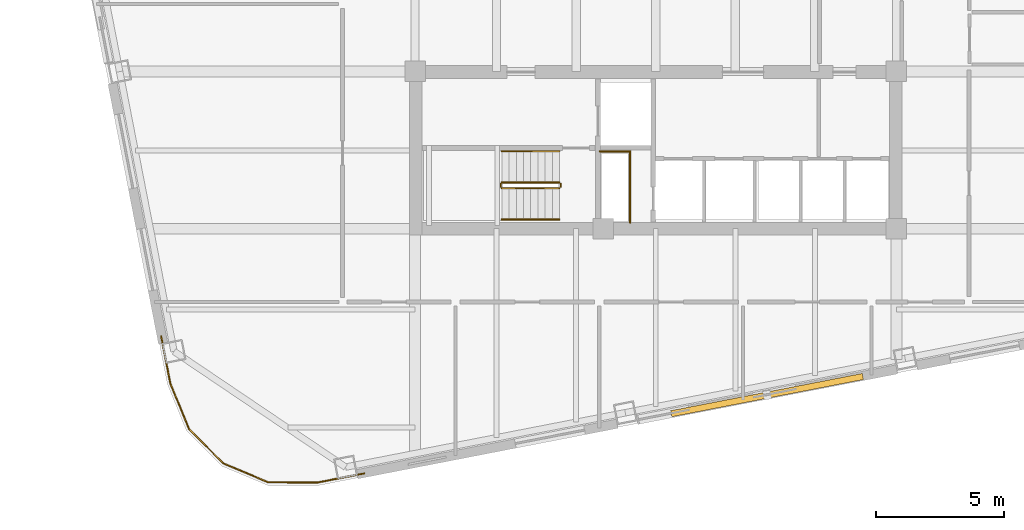
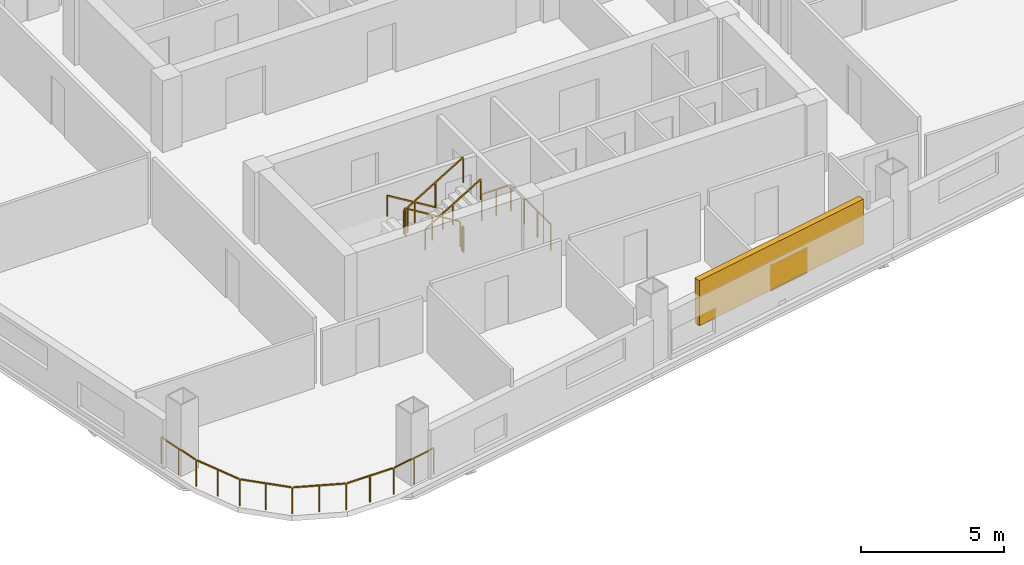
# One storey, part 7 of 9: 8 railings, 1 shading device.
"""IFC4 building model written with IfcOpenShell, lengths in metres."""

from ifc_helpers import new_model, si_unit, direction, frame, origin, origin_2d, place, context, subcontext, project, spatial, rectangle, extrude, material, type_object, element, save


model = new_model("IFC4")

# Units and contexts
model_context = context("Model", 3, precision=1e-05, world=origin(), true_north=direction((0.0, 1.0)))
body_context = subcontext(model_context, "Body", "Model", "MODEL_VIEW")
ifc_project = project(units=[si_unit("LENGTHUNIT", "METRE"), si_unit("AREAUNIT", "SQUARE_METRE"), si_unit("VOLUMEUNIT", "CUBIC_METRE"), si_unit("PLANEANGLEUNIT", "RADIAN"), si_unit("MASSUNIT", "GRAM", prefix="KILO")], contexts=[model_context])

# Site, building, storey
site_placement = place(None, origin())
site = spatial("IfcSite", under=ifc_project, at=site_placement, CompositionType="ELEMENT")
building_placement = place(site_placement, origin())
building = spatial("IfcBuilding", under=site, at=building_placement, Name="Qhalaya Broadcast Tower", CompositionType="ELEMENT")
storey_placement = place(building_placement, frame((0.0, 0.0, 121.949951171875)))
storey = spatial("IfcBuildingStorey", under=building, at=storey_placement, Name="L35", CompositionType="ELEMENT", Elevation=121.949951171875)

# Railings
ifc_material_1 = material(Name="Powder-Coated Galvanised Steel", Category="steel")
railing_type_1 = type_object("IfcRailingType", Name="Stair Wall Handrail 900", PredefinedType="HANDRAIL", material=ifc_material_1)
railing_1_placement = place(storey_placement, frame((-3.75, -5.72998046875, 0.16943359375)))
element("IfcRailing", 1, at=railing_1_placement, inside=storey, type_object=railing_type_1, Name="L35 ST-2 Stair Handrail 1", PredefinedType="HANDRAIL", context=body_context, shape_type="SweptSolid", body=[
    extrude(rectangle(XDim=0.048095703125, YDim=0.048095703125, at=origin_2d()), frame((0.0, 0.0, 0.8759765625), z_axis=(-0.855512035549, 0.0, 0.517782924622), x_axis=(0.0, -1.0, 0.0)), (0.0, 0.0, 1.0), 2.618408203125),
    extrude(rectangle(XDim=0.0419921875, YDim=0.0419921875, at=origin_2d()), origin(), (0.0, 0.0, 1.0), 0.849853515625),
    extrude(rectangle(XDim=0.0419921875, YDim=0.0419921875, at=origin_2d()), frame((-1.1201171875, 0.0, 0.677734375)), (0.0, 0.0, 1.0), 0.849853515625),
    extrude(rectangle(XDim=0.0419921875, YDim=0.0419921875, at=origin_2d()), frame((-2.239990234375, 0.0, 1.355712890625)), (0.0, 0.0, 1.0), 0.849853515625),
])
railing_2_placement = place(storey_placement, frame((-5.989990234375, -8.389892578125, 1.694580078125)))
element("IfcRailing", 2, at=railing_2_placement, inside=storey, type_object=railing_type_1, Name="L35 ST-2 Stair Handrail 2", PredefinedType="HANDRAIL", context=body_context, shape_type="SweptSolid", body=[
    extrude(rectangle(XDim=0.048095703125, YDim=0.048095703125, at=origin_2d()), frame((0.0, 0.0, 0.8759765625), z_axis=(0.855553338991, 0.0, 0.51771467445), x_axis=(0.0, 1.0, 0.0)), (0.0, 0.0, 1.0), 2.6181640625),
    extrude(rectangle(XDim=0.0419921875, YDim=0.0419921875, at=origin_2d()), origin(), (0.0, 0.0, 1.0), 0.849853515625),
    extrude(rectangle(XDim=0.0419921875, YDim=0.0419921875, at=origin_2d()), frame((1.1201171875, 0.0, 0.677734375)), (0.0, 0.0, 1.0), 0.849853515625),
    extrude(rectangle(XDim=0.0419921875, YDim=0.0419921875, at=origin_2d()), frame((2.239990234375, 0.0, 1.35546875)), (0.0, 0.0, 1.0), 0.849853515625),
])
railing_type_2 = type_object("IfcRailingType", Name="Stair Well & Landing Guardrail 1100", PredefinedType="GUARDRAIL", material=ifc_material_1)
railing_3_placement = place(storey_placement, frame((-1.0, -8.52001953125, 0.0)))
element("IfcRailing", 3, at=railing_3_placement, inside=storey, type_object=railing_type_2, Name="L35 Service Riser Opening Safety Guard SRSR", PredefinedType="GUARDRAIL", context=body_context, shape_type="SweptSolid", body=[
    extrude(rectangle(XDim=0.048095703125, YDim=0.048095703125, at=origin_2d()), frame((0.0, 0.0, 1.1259765625), z_axis=(0.0, 1.0, 0.0), x_axis=(-1.0, 0.0, 0.0)), (0.0, 0.0, 1.0), 2.751220703125),
    extrude(rectangle(XDim=0.048095703125, YDim=0.048095703125, at=origin_2d()), frame((-0.02880859375, 2.780029296875, 1.1259765625), z_axis=(-1.0, 0.0, 0.0), x_axis=(0.0, -1.0, 0.0)), (0.0, 0.0, 1.0), 1.151123046875),
    extrude(rectangle(XDim=0.0419921875, YDim=0.0419921875, at=origin_2d()), origin(), (0.0, 0.0, 1.0), 1.099853515625),
    extrude(rectangle(XDim=0.0419921875, YDim=0.0419921875, at=origin_2d()), frame((0.0, 0.9267578125, 0.0)), (0.0, 0.0, 1.0), 1.099853515625),
    extrude(rectangle(XDim=0.0419921875, YDim=0.0419921875, at=origin_2d()), frame((0.0, 1.853271484375, 0.0)), (0.0, 0.0, 1.0), 1.099853515625),
    extrude(rectangle(XDim=0.0419921875, YDim=0.0419921875, at=origin_2d()), frame((0.0, 2.780029296875, 0.0)), (0.0, 0.0, 1.0), 1.099853515625),
    extrude(rectangle(XDim=0.0419921875, YDim=0.0419921875, at=origin_2d()), frame((-0.58984375, 2.780029296875, 0.0)), (0.0, 0.0, 1.0), 1.099853515625),
    extrude(rectangle(XDim=0.0419921875, YDim=0.0419921875, at=origin_2d()), frame((-1.179931640625, 2.780029296875, 0.0)), (0.0, 0.0, 1.0), 1.099853515625),
])
railing_4_placement = place(storey_placement, frame((-3.75, -6.949951171875, 0.16943359375)))
element("IfcRailing", 4, at=railing_4_placement, inside=storey, type_object=railing_type_2, Name="L35 ST-2 Stair Guard 1", PredefinedType="GUARDRAIL", context=body_context, shape_type="SweptSolid", body=[
    extrude(rectangle(XDim=0.048095703125, YDim=0.048095703125, at=origin_2d()), frame((0.0, 0.0, 1.076171875), z_axis=(-0.855512035549, 0.0, 0.517782924622), x_axis=(0.0, -1.0, 0.0)), (0.0, 0.0, 1.0), 2.618408203125),
    extrude(rectangle(XDim=0.0419921875, YDim=0.0419921875, at=origin_2d()), origin(), (0.0, 0.0, 1.0), 1.050048828125),
    extrude(rectangle(XDim=0.0419921875, YDim=0.0419921875, at=origin_2d()), frame((-1.1201171875, 0.0, 0.677734375)), (0.0, 0.0, 1.0), 1.050048828125),
    extrude(rectangle(XDim=0.0419921875, YDim=0.0419921875, at=origin_2d()), frame((-2.239990234375, 0.0, 1.355712890625)), (0.0, 0.0, 1.0), 1.050048828125),
])
railing_5_placement = place(storey_placement, frame((-6.0400390625, -7.0, 1.525146484375)))
element("IfcRailing", 5, at=railing_5_placement, inside=storey, type_object=railing_type_2, Name="L35 ST-2 Stair Guard 2", PredefinedType="GUARDRAIL", context=body_context, shape_type="SweptSolid", body=[
    extrude(rectangle(XDim=0.048095703125, YDim=0.048095703125, at=origin_2d()), frame((0.0, 0.0, 1.076171875), z_axis=(0.0, -1.0, 0.0), x_axis=(1.0, 0.0, 0.0)), (0.0, 0.0, 1.0), 0.1201171875),
    extrude(rectangle(XDim=0.0419921875, YDim=0.0419921875, at=origin_2d()), origin(), (0.0, 0.0, 1.0), 1.050048828125),
    extrude(rectangle(XDim=0.0419921875, YDim=0.0419921875, at=origin_2d()), frame((0.0, -0.1201171875, 0.0)), (0.0, 0.0, 1.0), 1.050048828125),
])
railing_6_placement = place(storey_placement, frame((-5.989990234375, -7.169921875, 1.694580078125)))
element("IfcRailing", 6, at=railing_6_placement, inside=storey, type_object=railing_type_2, Name="L35 ST-2 Stair Guard 3", PredefinedType="GUARDRAIL", context=body_context, shape_type="SweptSolid", body=[
    extrude(rectangle(XDim=0.048095703125, YDim=0.048095703125, at=origin_2d()), frame((0.0, 0.0, 1.076171875), z_axis=(0.855553338991, 0.0, 0.51771467445), x_axis=(0.0, 1.0, 0.0)), (0.0, 0.0, 1.0), 2.6181640625),
    extrude(rectangle(XDim=0.0419921875, YDim=0.0419921875, at=origin_2d()), origin(), (0.0, 0.0, 1.0), 1.050048828125),
    extrude(rectangle(XDim=0.0419921875, YDim=0.0419921875, at=origin_2d()), frame((1.1201171875, 0.0, 0.677734375)), (0.0, 0.0, 1.0), 1.050048828125),
    extrude(rectangle(XDim=0.0419921875, YDim=0.0419921875, at=origin_2d()), frame((2.239990234375, 0.0, 1.35546875)), (0.0, 0.0, 1.0), 1.050048828125),
])
railing_7_placement = place(storey_placement, frame((-3.699951171875, -7.0, 0.0)))
element("IfcRailing", 7, at=railing_7_placement, inside=storey, type_object=railing_type_2, Name="L35 ST-2 Stair Guard 4", PredefinedType="GUARDRAIL", context=body_context, shape_type="SweptSolid", body=[
    extrude(rectangle(XDim=0.048095703125, YDim=0.048095703125, at=origin_2d()), frame((0.0, 0.0, 1.076171875), z_axis=(0.0, -1.0, 0.0), x_axis=(1.0, 0.0, 0.0)), (0.0, 0.0, 1.0), 0.1201171875),
    extrude(rectangle(XDim=0.0419921875, YDim=0.0419921875, at=origin_2d()), origin(), (0.0, 0.0, 1.0), 1.050048828125),
    extrude(rectangle(XDim=0.0419921875, YDim=0.0419921875, at=origin_2d()), frame((0.0, -0.1201171875, 0.0)), (0.0, 0.0, 1.0), 1.050048828125),
])
railing_type_3 = type_object("IfcRailingType", Name="Terrace, Sky-Pool & Lookout Glass Balustrade 1150", PredefinedType="BALUSTRADE", material=ifc_material_1)
railing_8_placement = place(storey_placement, frame((-11.351318359375, -18.281982421875, 0.0)))
element("IfcRailing", 8, at=railing_8_placement, inside=storey, type_object=railing_type_3, Name="L35 Rounded Corner Perimeter Guard 02", PredefinedType="BALUSTRADE", context=body_context, shape_type="SweptSolid", body=[
    extrude(rectangle(XDim=0.048095703125, YDim=0.048095703125, at=origin_2d()), frame((0.0, 0.0, 1.1259765625), z_axis=(-0.981643446311, -0.190725311155, 0.0), x_axis=(0.190725311155, -0.981643446311, 0.0)), (0.0, 0.0, 1.0), 1.8271484375),
    extrude(rectangle(XDim=0.048095703125, YDim=0.048095703125, at=origin_2d()), frame((-1.850830078125, -0.353759765625, 1.1259765625), z_axis=(-0.999990606087, 0.004334482484, 0.0), x_axis=(-0.004334482484, -0.999990606087, 0.0)), (0.0, 0.0, 1.0), 1.857421875),
    extrude(rectangle(XDim=0.048095703125, YDim=0.048095703125, at=origin_2d()), frame((-3.763671875, -0.33447265625, 1.1259765625), z_axis=(-0.922247496545, 0.386599993684, 0.0), x_axis=(-0.386599993684, -0.922247496545, 0.0)), (0.0, 0.0, 1.0), 1.845703125),
    extrude(rectangle(XDim=0.048095703125, YDim=0.048095703125, at=origin_2d()), frame((-5.5126953125, 0.41064453125, 1.1259765625), z_axis=(-0.704021268228, 0.710178888649, 0.0), x_axis=(-0.710178888649, -0.704021268228, 0.0)), (0.0, 0.0, 1.0), 1.845458984375),
    extrude(rectangle(XDim=0.048095703125, YDim=0.048095703125, at=origin_2d()), frame((-6.84326171875, 1.768310546875, 1.1259765625), z_axis=(-0.378588174109, 0.925565229698, 0.0), x_axis=(-0.925565229698, -0.378588174109, 0.0)), (0.0, 0.0, 1.0), 1.857666015625),
    extrude(rectangle(XDim=0.048095703125, YDim=0.048095703125, at=origin_2d()), frame((-7.56298828125, 3.542724609375, 1.1259765625), z_axis=(-0.190725311155, 0.981643446311, 0.0), x_axis=(-0.981643446311, -0.190725311155, 0.0)), (0.0, 0.0, 1.0), 1.8271484375),
    extrude(rectangle(XDim=0.0419921875, YDim=0.0419921875, at=origin_2d()), origin(), (0.0, 0.0, 1.0), 1.099853515625),
    extrude(rectangle(XDim=0.0419921875, YDim=0.0419921875, at=origin_2d()), frame((-0.9111328125, -0.177001953125, 0.0)), (0.0, 0.0, 1.0), 1.099853515625),
    extrude(rectangle(XDim=0.0419921875, YDim=0.0419921875, at=origin_2d()), frame((-1.822021484375, -0.35400390625, 0.0)), (0.0, 0.0, 1.0), 1.099853515625),
    extrude(rectangle(XDim=0.0419921875, YDim=0.0419921875, at=origin_2d()), frame((-2.779541015625, -0.349853515625, 0.0)), (0.0, 0.0, 1.0), 1.099853515625),
    extrude(rectangle(XDim=0.0419921875, YDim=0.0419921875, at=origin_2d()), frame((-3.737060546875, -0.345703125, 0.0)), (0.0, 0.0, 1.0), 1.099853515625),
    extrude(rectangle(XDim=0.0419921875, YDim=0.0419921875, at=origin_2d()), frame((-4.61474609375, 0.022216796875, 0.0)), (0.0, 0.0, 1.0), 1.099853515625),
    extrude(rectangle(XDim=0.0419921875, YDim=0.0419921875, at=origin_2d()), frame((-5.492431640625, 0.39013671875, 0.0)), (0.0, 0.0, 1.0), 1.099853515625),
    extrude(rectangle(XDim=0.0419921875, YDim=0.0419921875, at=origin_2d()), frame((-6.162353515625, 1.06591796875, 0.0)), (0.0, 0.0, 1.0), 1.099853515625),
    extrude(rectangle(XDim=0.0419921875, YDim=0.0419921875, at=origin_2d()), frame((-6.832275390625, 1.74169921875, 0.0)), (0.0, 0.0, 1.0), 1.099853515625),
    extrude(rectangle(XDim=0.0419921875, YDim=0.0419921875, at=origin_2d()), frame((-7.19482421875, 2.6279296875, 0.0)), (0.0, 0.0, 1.0), 1.099853515625),
    extrude(rectangle(XDim=0.0419921875, YDim=0.0419921875, at=origin_2d()), frame((-7.557373046875, 3.514404296875, 0.0)), (0.0, 0.0, 1.0), 1.099853515625),
    extrude(rectangle(XDim=0.0419921875, YDim=0.0419921875, at=origin_2d()), frame((-7.734375, 4.42529296875, 0.0)), (0.0, 0.0, 1.0), 1.099853515625),
    extrude(rectangle(XDim=0.0419921875, YDim=0.0419921875, at=origin_2d()), frame((-7.911376953125, 5.33642578125, 0.0)), (0.0, 0.0, 1.0), 1.099853515625),
])

# Shading device
ifc_material_2 = material(Name="Fired Architectural Terracotta", Category="masonry")
shading_device_type = type_object("IfcShadingDeviceType", Name="Terracotta Baguette Solar Screen Assembly TBS-01", PredefinedType="USERDEFINED", material=ifc_material_2)
shading_device_placement = place(storey_placement, frame((4.337158203125, -15.232421875, 0.79248046875), z_axis=(0.0, 0.0, 1.0), x_axis=(0.981627183448, 0.190808995377, 0.0)))
element("IfcShadingDevice", 9, at=shading_device_placement, inside=storey, type_object=shading_device_type, Name="L35 Fired Terracotta Baguette Screen S", ObjectType="BAGUETTE", PredefinedType="USERDEFINED", context=body_context, shape_type="SweptSolid", body=[
    extrude(rectangle(XDim=7.60009765625, YDim=0.239990234375, at=origin_2d()), origin(), (0.0, 0.0, 1.0), 1.924072265625),
])

save(model, "model.ifc")
